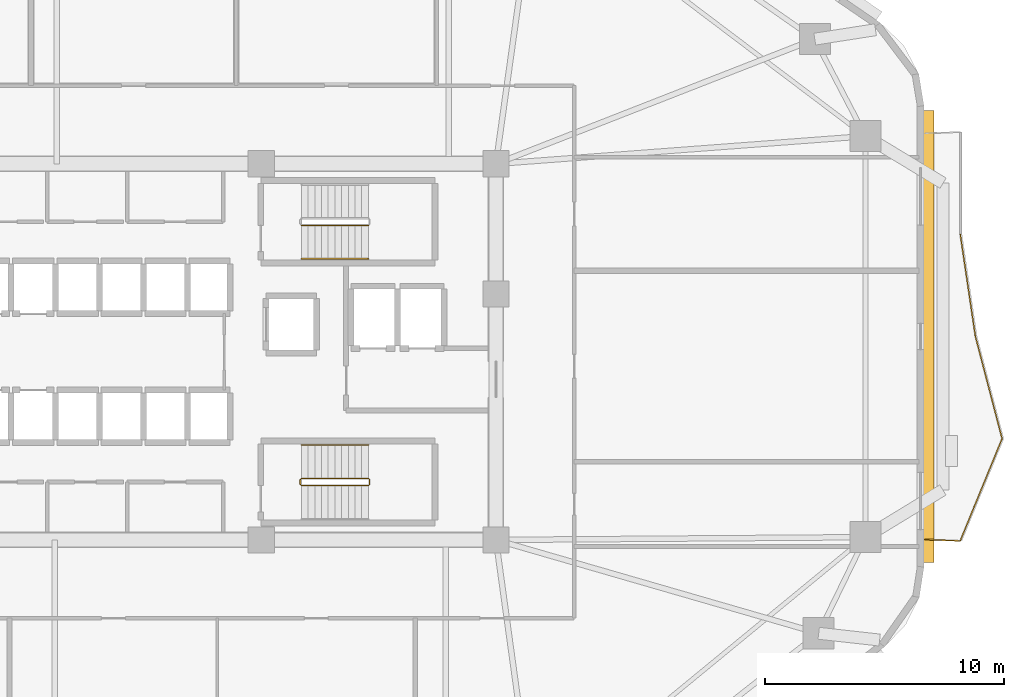
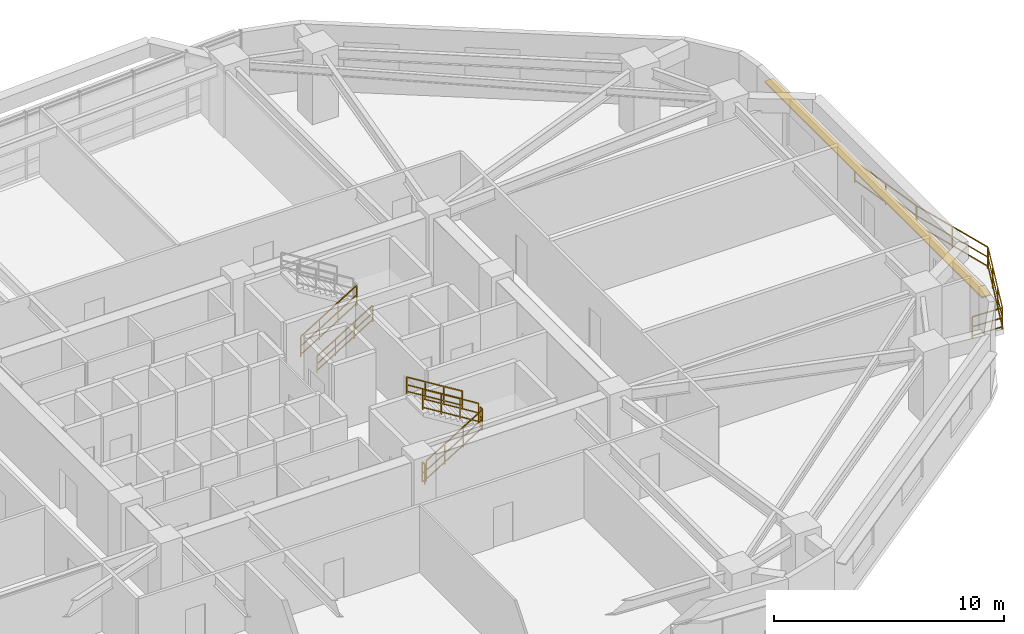
# One storey, part 12 of 14: 11 railings, 1 shading device.
"""IFC4 building model written with IfcOpenShell, lengths in metres."""

from ifc_helpers import new_model, si_unit, direction, frame, origin, origin_2d, place, context, subcontext, project, spatial, rectangle, extrude, material, layer, layer_set, type_object, element, save


model = new_model("IFC4")

# Units and contexts
model_context = context("Model", 3, precision=1e-05, world=origin(), true_north=direction((0.0, 1.0)))
body_context = subcontext(model_context, "Body", "Model", "MODEL_VIEW")
ifc_project = project(units=[si_unit("LENGTHUNIT", "METRE"), si_unit("AREAUNIT", "SQUARE_METRE"), si_unit("VOLUMEUNIT", "CUBIC_METRE"), si_unit("PLANEANGLEUNIT", "RADIAN"), si_unit("MASSUNIT", "GRAM", prefix="KILO")], contexts=[model_context])

# Site, building, storey
site_placement = place(None, origin())
site = spatial("IfcSite", under=ifc_project, at=site_placement, CompositionType="ELEMENT")
building_placement = place(site_placement, origin())
building = spatial("IfcBuilding", under=site, at=building_placement, Name="Zulverin Broadcast Headquarters", CompositionType="ELEMENT")
storey_placement = place(building_placement, frame((0.0, 0.0, 55.39990234375)))
storey = spatial("IfcBuildingStorey", under=building, at=storey_placement, Name="L13", CompositionType="ELEMENT", Elevation=55.39990234375)

# Railings
ifc_material_1 = material(Name="Brushed stainless steel & laminated glass balustrade", Category="steel")
railing_type_1 = type_object("IfcRailingType", Name="RL-GUARD-1150", PredefinedType="GUARDRAIL", material=ifc_material_1)
railing_1_placement = place(storey_placement, frame((66.239990234375, 17.343505859375, 0.0)))
element("IfcRailing", 1, at=railing_1_placement, inside=storey, type_object=railing_type_1, Name="L13 Vertical-Forest Balcony Guardrail BAL_E Segment 01", PredefinedType="GUARDRAIL", context=body_context, shape_type="SweptSolid", body=[
    extrude(rectangle(XDim=0.048095703125, YDim=0.048095703125, at=origin_2d()), frame((0.0, 0.0, 1.1259765625), z_axis=(0.999174410196, -0.040626321628, 0.0), x_axis=(0.040626321628, 0.999174410196, 0.0)), (0.0, 0.0, 1.0), 1.46630859375),
    extrude(rectangle(XDim=0.0419921875, YDim=0.0419921875, at=origin_2d()), frame((0.0, 0.0, 0.597900390625), z_axis=(0.999174410196, -0.040626321628, 0.0), x_axis=(0.040626321628, 0.999174410196, 0.0)), (0.0, 0.0, 1.0), 1.46630859375),
    extrude(rectangle(XDim=0.0419921875, YDim=0.0419921875, at=origin_2d()), frame((0.0, 0.0, 0.1201171875), z_axis=(0.999174410196, -0.040626321628, 0.0), x_axis=(0.040626321628, 0.999174410196, 0.0)), (0.0, 0.0, 1.0), 1.46630859375),
    extrude(rectangle(XDim=0.0419921875, YDim=0.0419921875, at=origin_2d()), origin(), (0.0, 0.0, 1.0), 1.101806640625),
    extrude(rectangle(XDim=0.0419921875, YDim=0.0419921875, at=origin_2d()), frame((1.465087890625, -0.0595703125, 0.0)), (0.0, 0.0, 1.0), 1.101806640625),
])
railing_2_placement = place(storey_placement, frame((67.7255859375, 17.29736328125, 0.0)))
element("IfcRailing", 2, at=railing_2_placement, inside=storey, type_object=railing_type_1, Name="L13 Vertical-Forest Balcony Guardrail BAL_E Segment 02", PredefinedType="GUARDRAIL", context=body_context, shape_type="SweptSolid", body=[
    extrude(rectangle(XDim=0.048095703125, YDim=0.048095703125, at=origin_2d()), frame((0.0, 0.0, 1.1259765625), z_axis=(0.379013239476, 0.925391249311, 0.0), x_axis=(-0.925391249311, 0.379013239476, 0.0)), (0.0, 0.0, 1.0), 4.597900390625),
    extrude(rectangle(XDim=0.0419921875, YDim=0.0419921875, at=origin_2d()), frame((0.0, 0.0, 0.597900390625), z_axis=(0.379013239476, 0.925391249311, 0.0), x_axis=(-0.925391249311, 0.379013239476, 0.0)), (0.0, 0.0, 1.0), 4.597900390625),
    extrude(rectangle(XDim=0.0419921875, YDim=0.0419921875, at=origin_2d()), frame((0.0, 0.0, 0.1201171875), z_axis=(0.379013239476, 0.925391249311, 0.0), x_axis=(-0.925391249311, 0.379013239476, 0.0)), (0.0, 0.0, 1.0), 4.597900390625),
    extrude(rectangle(XDim=0.0419921875, YDim=0.0419921875, at=origin_2d()), origin(), (0.0, 0.0, 1.0), 1.101806640625),
    extrude(rectangle(XDim=0.0419921875, YDim=0.0419921875, at=origin_2d()), frame((0.580810546875, 1.418212890625, 0.0)), (0.0, 0.0, 1.0), 1.101806640625),
    extrude(rectangle(XDim=0.0419921875, YDim=0.0419921875, at=origin_2d()), frame((1.161865234375, 2.836669921875, 0.0)), (0.0, 0.0, 1.0), 1.101806640625),
    extrude(rectangle(XDim=0.0419921875, YDim=0.0419921875, at=origin_2d()), frame((1.74267578125, 4.2548828125, 0.0)), (0.0, 0.0, 1.0), 1.101806640625),
])
railing_3_placement = place(storey_placement, frame((69.47021484375, 21.580810546875, 0.0)))
element("IfcRailing", 3, at=railing_3_placement, inside=storey, type_object=railing_type_1, Name="L13 Vertical-Forest Balcony Guardrail BAL_E Segment 03", PredefinedType="GUARDRAIL", context=body_context, shape_type="SweptSolid", body=[
    extrude(rectangle(XDim=0.048095703125, YDim=0.048095703125, at=origin_2d()), frame((0.0, 0.0, 1.1259765625), z_axis=(-0.252623091007, 0.9675647647, 0.0), x_axis=(-0.9675647647, -0.252623091007, 0.0)), (0.0, 0.0, 1.0), 4.396240234375),
    extrude(rectangle(XDim=0.0419921875, YDim=0.0419921875, at=origin_2d()), frame((0.0, 0.0, 0.597900390625), z_axis=(-0.252623091007, 0.9675647647, 0.0), x_axis=(-0.9675647647, -0.252623091007, 0.0)), (0.0, 0.0, 1.0), 4.396240234375),
    extrude(rectangle(XDim=0.0419921875, YDim=0.0419921875, at=origin_2d()), frame((0.0, 0.0, 0.1201171875), z_axis=(-0.252623091007, 0.9675647647, 0.0), x_axis=(-0.9675647647, -0.252623091007, 0.0)), (0.0, 0.0, 1.0), 4.396240234375),
    extrude(rectangle(XDim=0.0419921875, YDim=0.0419921875, at=origin_2d()), origin(), (0.0, 0.0, 1.0), 1.101806640625),
    extrude(rectangle(XDim=0.0419921875, YDim=0.0419921875, at=origin_2d()), frame((-0.55517578125, 2.126953125, 0.0)), (0.0, 0.0, 1.0), 1.101806640625),
    extrude(rectangle(XDim=0.0419921875, YDim=0.0419921875, at=origin_2d()), frame((-1.110595703125, 4.253662109375, 0.0)), (0.0, 0.0, 1.0), 1.101806640625),
])
railing_4_placement = place(storey_placement, frame((68.353515625, 25.86376953125, 0.0)))
element("IfcRailing", 4, at=railing_4_placement, inside=storey, type_object=railing_type_1, Name="L13 Vertical-Forest Balcony Guardrail BAL_E Segment 04", PredefinedType="GUARDRAIL", context=body_context, shape_type="SweptSolid", body=[
    extrude(rectangle(XDim=0.048095703125, YDim=0.048095703125, at=origin_2d()), frame((0.0, 0.0, 1.1259765625), z_axis=(-0.146832630396, 0.989161351171, 0.0), x_axis=(-0.989161351171, -0.146832630396, 0.0)), (0.0, 0.0, 1.0), 4.2998046875),
    extrude(rectangle(XDim=0.0419921875, YDim=0.0419921875, at=origin_2d()), frame((0.0, 0.0, 0.597900390625), z_axis=(-0.146832630396, 0.989161351171, 0.0), x_axis=(-0.989161351171, -0.146832630396, 0.0)), (0.0, 0.0, 1.0), 4.2998046875),
    extrude(rectangle(XDim=0.0419921875, YDim=0.0419921875, at=origin_2d()), frame((0.0, 0.0, 0.1201171875), z_axis=(-0.146832630396, 0.989161351171, 0.0), x_axis=(-0.989161351171, -0.146832630396, 0.0)), (0.0, 0.0, 1.0), 4.2998046875),
    extrude(rectangle(XDim=0.0419921875, YDim=0.0419921875, at=origin_2d()), origin(), (0.0, 0.0, 1.0), 1.101806640625),
    extrude(rectangle(XDim=0.0419921875, YDim=0.0419921875, at=origin_2d()), frame((-0.315673828125, 2.12646484375, 0.0)), (0.0, 0.0, 1.0), 1.101806640625),
    extrude(rectangle(XDim=0.0419921875, YDim=0.0419921875, at=origin_2d()), frame((-0.63134765625, 4.253173828125, 0.0)), (0.0, 0.0, 1.0), 1.101806640625),
])
ifc_material_2 = material(Name="Painted galvanized steel tubular guardrail S355JR", Category="steel")
railing_type_2 = type_object("IfcRailingType", Name="RL-ST-GUARD", PredefinedType="GUARDRAIL", material=ifc_material_2)
for number, where, name in (
    (5, (40.1298828125, 30.5, 0.1728515625), "L13 ST-1 stair guard 1"),
    (6, (40.1298828125, 19.60009765625, 0.1728515625), "L13 ST-2 stair guard 1"),
):
    element("IfcRailing", number, at=place(storey_placement, frame(where)), inside=storey, type_object=railing_type_2, Name=name, PredefinedType="GUARDRAIL", context=body_context, shape_type="SweptSolid", body=[
        extrude(rectangle(XDim=0.048095703125, YDim=0.048095703125, at=origin_2d()), frame((0.0, 0.0, 1.076171875), z_axis=(0.851089632645, 0.0, 0.525020415988), x_axis=(0.0, 1.0, 0.0)), (0.0, 0.0, 1.0), 3.2900390625),
        extrude(rectangle(XDim=0.0419921875, YDim=0.0419921875, at=origin_2d()), frame((0.0, 0.0, 0.572021484375), z_axis=(0.851089632645, 0.0, 0.525020415988), x_axis=(0.0, 1.0, 0.0)), (0.0, 0.0, 1.0), 3.2900390625),
        extrude(rectangle(XDim=0.0419921875, YDim=0.0419921875, at=origin_2d()), frame((0.0, 0.0, 0.1201171875), z_axis=(0.851089632645, 0.0, 0.525020415988), x_axis=(0.0, 1.0, 0.0)), (0.0, 0.0, 1.0), 3.2900390625),
        extrude(rectangle(XDim=0.0419921875, YDim=0.0419921875, at=origin_2d()), origin(), (0.0, 0.0, 1.0), 1.052001953125),
        extrude(rectangle(XDim=0.0419921875, YDim=0.0419921875, at=origin_2d()), frame((0.933349609375, 0.0, 0.57568359375)), (0.0, 0.0, 1.0), 1.052001953125),
        extrude(rectangle(XDim=0.0419921875, YDim=0.0419921875, at=origin_2d()), frame((1.86669921875, 0.0, 1.151611328125)), (0.0, 0.0, 1.0), 1.052001953125),
        extrude(rectangle(XDim=0.0419921875, YDim=0.0419921875, at=origin_2d()), frame((2.800048828125, 0.0, 1.727294921875)), (0.0, 0.0, 1.0), 1.052001953125),
    ])
railing_5_placement = place(storey_placement, frame((42.97998046875, 19.64990234375, 1.900146484375)))
element("IfcRailing", 7, at=railing_5_placement, inside=storey, type_object=railing_type_2, Name="L13 ST-2 stair guard 2", PredefinedType="GUARDRAIL", context=body_context, shape_type="SweptSolid", body=[
    extrude(rectangle(XDim=0.048095703125, YDim=0.048095703125, at=origin_2d()), frame((0.0, 0.0, 1.076171875), z_axis=(0.0, 1.0, 0.0), x_axis=(-1.0, 0.0, 0.0)), (0.0, 0.0, 1.0), 0.2001953125),
    extrude(rectangle(XDim=0.0419921875, YDim=0.0419921875, at=origin_2d()), frame((0.0, 0.0, 0.572021484375), z_axis=(0.0, 1.0, 0.0), x_axis=(-1.0, 0.0, 0.0)), (0.0, 0.0, 1.0), 0.2001953125),
    extrude(rectangle(XDim=0.0419921875, YDim=0.0419921875, at=origin_2d()), frame((0.0, 0.0, 0.1201171875), z_axis=(0.0, 1.0, 0.0), x_axis=(-1.0, 0.0, 0.0)), (0.0, 0.0, 1.0), 0.2001953125),
    extrude(rectangle(XDim=0.0419921875, YDim=0.0419921875, at=origin_2d()), origin(), (0.0, 0.0, 1.0), 1.052001953125),
    extrude(rectangle(XDim=0.0419921875, YDim=0.0419921875, at=origin_2d()), frame((0.0, 0.2001953125, 0.0)), (0.0, 0.0, 1.0), 1.052001953125),
])
railing_6_placement = place(storey_placement, frame((42.929931640625, 19.89990234375, 2.07275390625)))
element("IfcRailing", 8, at=railing_6_placement, inside=storey, type_object=railing_type_2, Name="L13 ST-2 stair guard 3", PredefinedType="GUARDRAIL", context=body_context, shape_type="SweptSolid", body=[
    extrude(rectangle(XDim=0.048095703125, YDim=0.048095703125, at=origin_2d()), frame((0.0, 0.0, 1.076171875), z_axis=(-0.851089632645, 0.0, 0.525020415988), x_axis=(0.0, -1.0, 0.0)), (0.0, 0.0, 1.0), 3.2900390625),
    extrude(rectangle(XDim=0.0419921875, YDim=0.0419921875, at=origin_2d()), frame((0.0, 0.0, 0.572021484375), z_axis=(-0.851089632645, 0.0, 0.525020415988), x_axis=(0.0, -1.0, 0.0)), (0.0, 0.0, 1.0), 3.2900390625),
    extrude(rectangle(XDim=0.0419921875, YDim=0.0419921875, at=origin_2d()), frame((0.0, 0.0, 0.1201171875), z_axis=(-0.851089632645, 0.0, 0.525020415988), x_axis=(0.0, -1.0, 0.0)), (0.0, 0.0, 1.0), 3.2900390625),
    extrude(rectangle(XDim=0.0419921875, YDim=0.0419921875, at=origin_2d()), origin(), (0.0, 0.0, 1.0), 1.052001953125),
    extrude(rectangle(XDim=0.0419921875, YDim=0.0419921875, at=origin_2d()), frame((-0.933349609375, 0.0, 0.57568359375)), (0.0, 0.0, 1.0), 1.052001953125),
    extrude(rectangle(XDim=0.0419921875, YDim=0.0419921875, at=origin_2d()), frame((-1.86669921875, 0.0, 1.151611328125)), (0.0, 0.0, 1.0), 1.052001953125),
    extrude(rectangle(XDim=0.0419921875, YDim=0.0419921875, at=origin_2d()), frame((-2.800048828125, 0.0, 1.727294921875)), (0.0, 0.0, 1.0), 1.052001953125),
])
railing_7_placement = place(storey_placement, frame((40.080078125, 19.64990234375, 0.0)))
element("IfcRailing", 9, at=railing_7_placement, inside=storey, type_object=railing_type_2, Name="L13 ST-2 stair guard 4", PredefinedType="GUARDRAIL", context=body_context, shape_type="SweptSolid", body=[
    extrude(rectangle(XDim=0.048095703125, YDim=0.048095703125, at=origin_2d()), frame((0.0, 0.0, 1.076171875), z_axis=(0.0, 1.0, 0.0), x_axis=(-1.0, 0.0, 0.0)), (0.0, 0.0, 1.0), 0.2001953125),
    extrude(rectangle(XDim=0.0419921875, YDim=0.0419921875, at=origin_2d()), frame((0.0, 0.0, 0.572021484375), z_axis=(0.0, 1.0, 0.0), x_axis=(-1.0, 0.0, 0.0)), (0.0, 0.0, 1.0), 0.2001953125),
    extrude(rectangle(XDim=0.0419921875, YDim=0.0419921875, at=origin_2d()), frame((0.0, 0.0, 0.1201171875), z_axis=(0.0, 1.0, 0.0), x_axis=(-1.0, 0.0, 0.0)), (0.0, 0.0, 1.0), 0.2001953125),
    extrude(rectangle(XDim=0.0419921875, YDim=0.0419921875, at=origin_2d()), origin(), (0.0, 0.0, 1.0), 1.052001953125),
    extrude(rectangle(XDim=0.0419921875, YDim=0.0419921875, at=origin_2d()), frame((0.0, 0.2001953125, 0.0)), (0.0, 0.0, 1.0), 1.052001953125),
])
ifc_material_3 = material(Name="Brushed stainless steel 48 mm handrail", Category="steel")
railing_type_3 = type_object("IfcRailingType", Name="RL-ST-HAND", PredefinedType="HANDRAIL", material=ifc_material_3)
railing_8_placement = place(storey_placement, frame((40.1298828125, 29.10009765625, 0.1728515625)))
element("IfcRailing", 10, at=railing_8_placement, inside=storey, type_object=railing_type_3, Name="L13 ST-1 stair handrail 1", PredefinedType="HANDRAIL", context=body_context, shape_type="SweptSolid", body=[
    extrude(rectangle(XDim=0.048095703125, YDim=0.048095703125, at=origin_2d()), frame((0.0, 0.0, 0.8759765625), z_axis=(0.851089632645, 0.0, 0.525020415988), x_axis=(0.0, 1.0, 0.0)), (0.0, 0.0, 1.0), 3.2900390625),
    extrude(rectangle(XDim=0.0419921875, YDim=0.0419921875, at=origin_2d()), frame((0.0, 0.0, 0.468017578125), z_axis=(0.851089632645, 0.0, 0.525020415988), x_axis=(0.0, 1.0, 0.0)), (0.0, 0.0, 1.0), 3.2900390625),
    extrude(rectangle(XDim=0.0419921875, YDim=0.0419921875, at=origin_2d()), frame((0.0, 0.0, 0.1201171875), z_axis=(0.851089632645, 0.0, 0.525020415988), x_axis=(0.0, 1.0, 0.0)), (0.0, 0.0, 1.0), 3.2900390625),
    extrude(rectangle(XDim=0.0419921875, YDim=0.0419921875, at=origin_2d()), origin(), (0.0, 0.0, 1.0), 0.851806640625),
    extrude(rectangle(XDim=0.0419921875, YDim=0.0419921875, at=origin_2d()), frame((0.933349609375, 0.0, 0.57568359375)), (0.0, 0.0, 1.0), 0.851806640625),
    extrude(rectangle(XDim=0.0419921875, YDim=0.0419921875, at=origin_2d()), frame((1.86669921875, 0.0, 1.151611328125)), (0.0, 0.0, 1.0), 0.851806640625),
    extrude(rectangle(XDim=0.0419921875, YDim=0.0419921875, at=origin_2d()), frame((2.800048828125, 0.0, 1.727294921875)), (0.0, 0.0, 1.0), 0.851806640625),
])
railing_9_placement = place(storey_placement, frame((42.929931640625, 21.300048828125, 2.07275390625)))
element("IfcRailing", 11, at=railing_9_placement, inside=storey, type_object=railing_type_3, Name="L13 ST-2 stair handrail 2", PredefinedType="HANDRAIL", context=body_context, shape_type="SweptSolid", body=[
    extrude(rectangle(XDim=0.048095703125, YDim=0.048095703125, at=origin_2d()), frame((0.0, 0.0, 0.8759765625), z_axis=(-0.851089632645, 0.0, 0.525020415988), x_axis=(0.0, -1.0, 0.0)), (0.0, 0.0, 1.0), 3.2900390625),
    extrude(rectangle(XDim=0.0419921875, YDim=0.0419921875, at=origin_2d()), frame((0.0, 0.0, 0.468017578125), z_axis=(-0.851089632645, 0.0, 0.525020415988), x_axis=(0.0, -1.0, 0.0)), (0.0, 0.0, 1.0), 3.2900390625),
    extrude(rectangle(XDim=0.0419921875, YDim=0.0419921875, at=origin_2d()), frame((0.0, 0.0, 0.1201171875), z_axis=(-0.851089632645, 0.0, 0.525020415988), x_axis=(0.0, -1.0, 0.0)), (0.0, 0.0, 1.0), 3.2900390625),
    extrude(rectangle(XDim=0.0419921875, YDim=0.0419921875, at=origin_2d()), origin(), (0.0, 0.0, 1.0), 0.851806640625),
    extrude(rectangle(XDim=0.0419921875, YDim=0.0419921875, at=origin_2d()), frame((-0.933349609375, 0.0, 0.57568359375)), (0.0, 0.0, 1.0), 0.851806640625),
    extrude(rectangle(XDim=0.0419921875, YDim=0.0419921875, at=origin_2d()), frame((-1.86669921875, 0.0, 1.151611328125)), (0.0, 0.0, 1.0), 0.851806640625),
    extrude(rectangle(XDim=0.0419921875, YDim=0.0419921875, at=origin_2d()), frame((-2.800048828125, 0.0, 1.727294921875)), (0.0, 0.0, 1.0), 0.851806640625),
])

# Shading device
ifc_material_4 = material(Name="Anodized pale-metal aluminium sunshade", Category="aluminium")
ifc_layer = layer(ifc_material_4, 0.06005859375, Name="Anodized pale-metal aluminium sunshade", Category="aluminium")
ifc_layer_set = layer_set([ifc_layer], Name="Anodized pale-metal aluminium sunshade")
shading_device_type = type_object("IfcShadingDeviceType", Name="SS-01_PALE_METAL_ALUMINIUM_SUNSHADE", PredefinedType="USERDEFINED", material=ifc_layer_set)
shading_device_placement = place(storey_placement, frame((66.39990234375, 25.848876953125, 2.7099609375), z_axis=(0.0, 0.0, 1.0), x_axis=(0.0, 1.0, 0.0)))
element("IfcShadingDevice", 12, at=shading_device_placement, inside=storey, type_object=shading_device_type, Name="L13 Horizontal Pale-Metal Sunshade Band 3", ObjectType="SUNSHADE", PredefinedType="USERDEFINED", context=body_context, shape_type="SweptSolid", body=[
    extrude(rectangle(XDim=18.93115234375, YDim=0.449951171875, at=origin_2d()), origin(), (0.0, 0.0, 1.0), 0.06005859375),
])

save(model, "model.ifc")
